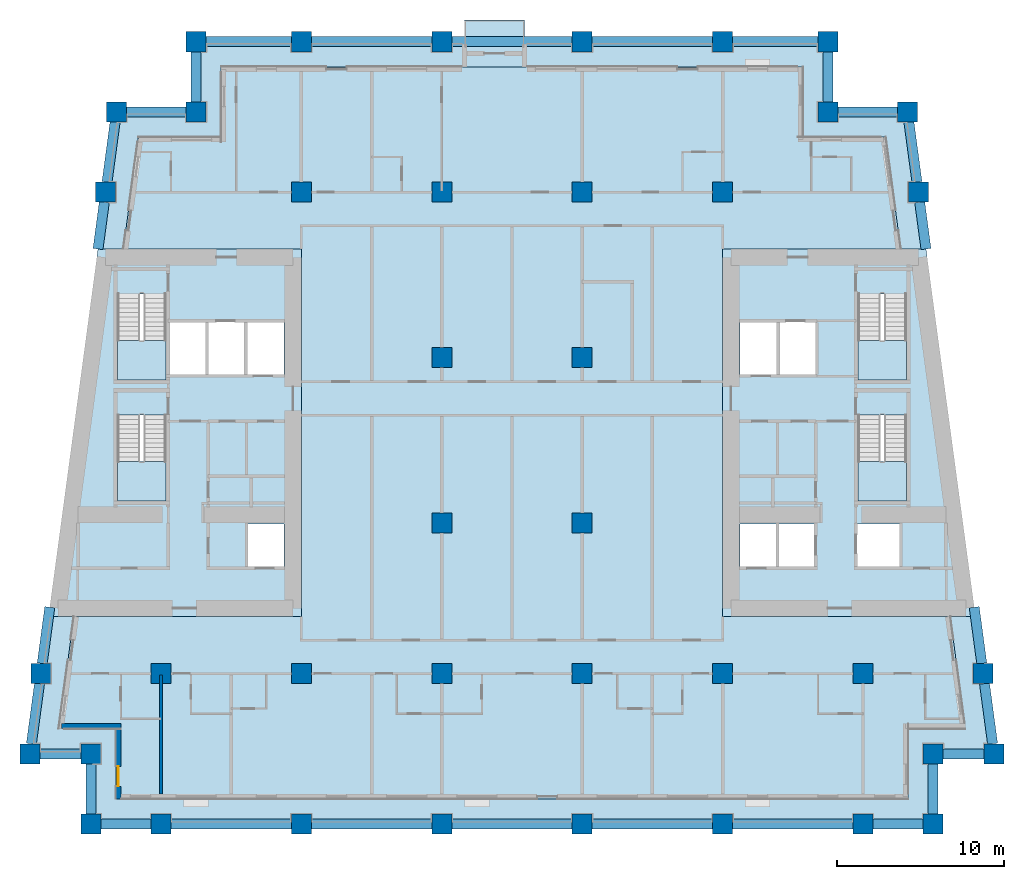
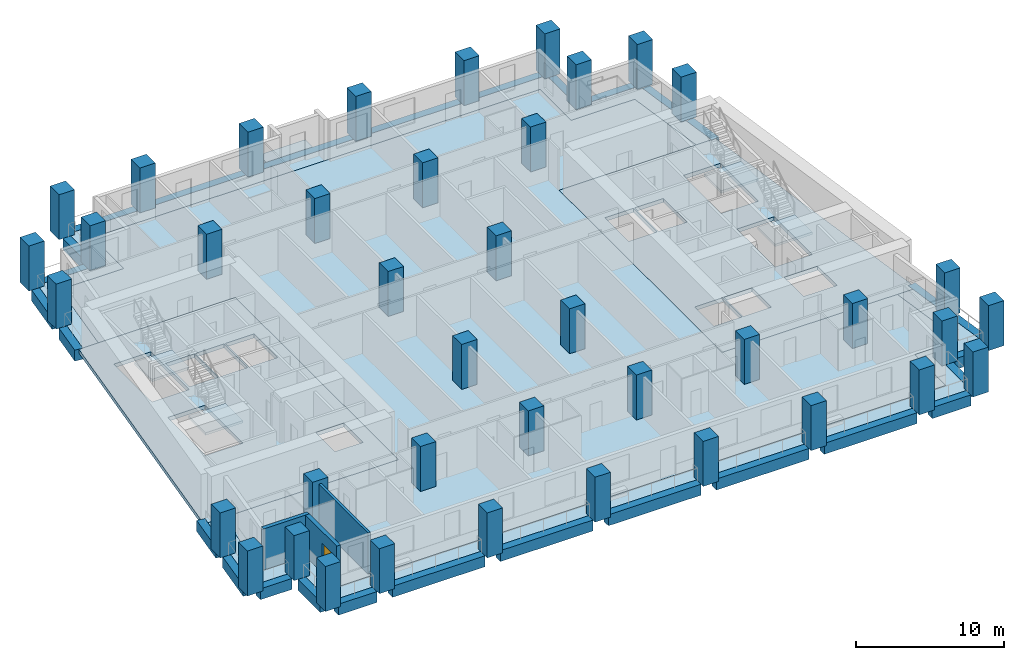
# One storey, part 1 of 13: 40 columns, 28 beams, 10 slabs, 3 walls, 1 door, 1 opening, 4 elements without a shape of their own.
"""IFC4 building model written with IfcOpenShell, lengths in metres."""

from ifc_helpers import new_model, si_unit, direction, frame, frame_2d, origin, origin_2d, place, context, subcontext, project, spatial, polyline, rectangle, outline, extrude, material, layer, layer_set, material_profile, profile_set, type_object, element, fill, aggregate, save


model = new_model("IFC4")

# Units and contexts
model_context = context("Model", 3, precision=1e-05, world=origin(), true_north=direction((0.0, 1.0)))
body_context = subcontext(model_context, "Body", "Model", "MODEL_VIEW")
ifc_project = project(units=[si_unit("LENGTHUNIT", "METRE"), si_unit("AREAUNIT", "SQUARE_METRE"), si_unit("VOLUMEUNIT", "CUBIC_METRE"), si_unit("PLANEANGLEUNIT", "RADIAN"), si_unit("MASSUNIT", "GRAM", prefix="KILO")], contexts=[model_context])

# Site, building, storey
site_placement = place(None, origin())
site = spatial("IfcSite", under=ifc_project, at=site_placement, CompositionType="ELEMENT")
building_placement = place(site_placement, origin())
building = spatial("IfcBuilding", under=site, at=building_placement, Name="Candeia Pilgrim Tower and Theatre", CompositionType="ELEMENT")
storey_placement = place(building_placement, frame((0.0, 0.0, 98.39990234375)))
storey = spatial("IfcBuildingStorey", under=building, at=storey_placement, Name="L22", CompositionType="ELEMENT", Elevation=98.39990234375)

# Columns
ifc_material_1 = material(Name="Concrete C70/85", Category="concrete")
ifc_material_profile_1 = material_profile(ifc_material_1, rectangle(XDim=1.199951171875, YDim=1.199951171875, at=origin_2d()))
ifc_profile_set_1 = profile_set([ifc_material_profile_1], Name="Concrete C70/85")
column_type = type_object("IfcColumnType", Name="RC 1200x1200 C70/85", PredefinedType="COLUMN", material=ifc_profile_set_1)
for number, where, z_axis, x_axis, name in (
    (1, (92.39990234375, 98.0, 0.0), (0.0, 0.0, 1.0), (1.0, 0.0, 0.0), "Column A1"),
    (2, (100.800048828125, 98.0, 0.0), (0.0, 0.0, 1.0), (1.0, 0.0, 0.0), "Column A2"),
    (3, (109.199951171875, 98.0, 0.0), (0.0, 0.0, 1.0), (1.0, 0.0, 0.0), "Column A3"),
    (4, (117.60009765625, 98.0, 0.0), (0.0, 0.0, 1.0), (1.0, 0.0, 0.0), "Column A4"),
    (5, (126.0, 98.0, 0.0), (0.0, 0.0, 1.0), (1.0, 0.0, 0.0), "Column A5"),
    (6, (134.39990234375, 98.0, 0.0), (0.0, 0.0, 1.0), (1.0, 0.0, 0.0), "Column A6"),
    (7, (88.199951171875, 98.0, 0.0), (0.0, 0.0, 1.0), (1.0, 0.0, 0.0), "Column AW"),
    (8, (138.60009765625, 98.0, 0.0), (0.0, 0.0, 1.0), (1.0, 0.0, 0.0), "Column AE"),
    (9, (88.199951171875, 102.199951171875, 0.0), (0.0, 0.0, 1.0), (1.0, 0.0, 0.0), "Column NSW"),
    (10, (138.60009765625, 102.199951171875, 0.0), (0.0, 0.0, 1.0), (1.0, 0.0, 0.0), "Column NSE"),
    (11, (94.5, 140.60009765625, 0.0), (0.0, 0.0, 1.0), (1.0, 0.0, 0.0), "Column NNW"),
    (12, (132.300048828125, 140.60009765625, 0.0), (0.0, 0.0, 1.0), (1.0, 0.0, 0.0), "Column NNE"),
    (13, (84.5654296875, 102.199951171875, 0.0), (0.0, 0.0, 1.0), (1.0, 0.0, 0.0), "Column LSW"),
    (14, (142.234619140625, 102.199951171875, 0.0), (0.0, 0.0, 1.0), (1.0, 0.0, 0.0), "Column LSE"),
    (15, (89.734619140625, 140.60009765625, 0.0), (0.0, 0.0, 1.0), (1.0, 0.0, 0.0), "Column LNW"),
    (16, (137.0654296875, 140.60009765625, 0.0), (0.0, 0.0, 1.0), (1.0, 0.0, 0.0), "Column LNE"),
    (17, (92.39990234375, 107.0, 0.0), (0.0, 0.0, 1.0), (1.0, 0.0, 0.0), "Column B1"),
    (18, (100.800048828125, 107.0, 0.0), (0.0, 0.0, 1.0), (1.0, 0.0, 0.0), "Column B2"),
    (19, (109.199951171875, 107.0, 0.0), (0.0, 0.0, 1.0), (1.0, 0.0, 0.0), "Column B3"),
    (20, (117.60009765625, 107.0, 0.0), (0.0, 0.0, 1.0), (1.0, 0.0, 0.0), "Column B4"),
    (21, (126.0, 107.0, 0.0), (0.0, 0.0, 1.0), (1.0, 0.0, 0.0), "Column B5"),
    (22, (134.39990234375, 107.0, 0.0), (0.0, 0.0, 1.0), (1.0, 0.0, 0.0), "Column B6"),
    (23, (85.21142578125, 107.0, 0.0), (0.0, 0.0, 1.0), (1.0, 0.0, 0.0), "Column BW"),
    (24, (141.58837890625, 107.0, 0.0), (0.0, 0.0, 1.0), (1.0, 0.0, 0.0), "Column BE"),
    (25, (109.199951171875, 116.0, 0.0), (0.0, 0.0, 1.0), (1.0, 0.0, 0.0), "Column C3"),
    (26, (117.60009765625, 116.0, 0.0), (0.0, 0.0, 1.0), (1.0, 0.0, 0.0), "Column C4"),
    (27, (109.199951171875, 125.89990234375, 0.0), (0.0, 0.0, 1.0), (1.0, 0.0, 0.0), "Column D3"),
    (28, (117.60009765625, 125.89990234375, 0.0), (0.0, 0.0, 1.0), (1.0, 0.0, 0.0), "Column D4"),
    (29, (100.800048828125, 135.800048828125, 0.0), (0.0, 0.0, 1.0), (1.0, 0.0, 0.0), "Column E2"),
    (30, (109.199951171875, 135.800048828125, 0.0), (0.0, 0.0, 1.0), (1.0, 0.0, 0.0), "Column E3"),
    (31, (117.60009765625, 135.800048828125, 0.0), (0.0, 0.0, 1.0), (1.0, 0.0, 0.0), "Column E4"),
    (32, (126.0, 135.800048828125, 0.0), (0.0, 0.0, 1.0), (1.0, 0.0, 0.0), "Column E5"),
    (33, (89.08837890625, 135.800048828125, 0.0), (0.0, 0.0, 1.0), (1.0, 0.0, 0.0), "Column EW"),
    (34, (137.71142578125, 135.800048828125, 0.0), (0.0, 0.0, 1.0), (1.0, 0.0, 0.0), "Column EE"),
    (35, (100.800048828125, 144.800048828125, 0.0), (0.0, 0.0, 1.0), (1.0, 0.0, 0.0), "Column F2"),
    (36, (109.199951171875, 144.800048828125, 0.0), (0.0, 0.0, 1.0), (1.0, 0.0, 0.0), "Column F3"),
    (37, (117.60009765625, 144.800048828125, 0.0), (0.0, 0.0, 1.0), (1.0, 0.0, 0.0), "Column F4"),
    (38, (126.0, 144.800048828125, 0.0), (0.0, 0.0, 1.0), (1.0, 0.0, 0.0), "Column F5"),
    (39, (94.5, 144.800048828125, 0.0), (0.0, 0.0, 1.0), (1.0, 0.0, 0.0), "Column FW"),
    (40, (132.300048828125, 144.800048828125, 0.0), (0.0, 0.0, 1.0), (1.0, 0.0, 0.0), "Column FE"),
):
    element("IfcColumn", number, at=place(storey_placement, frame(where, z_axis=z_axis, x_axis=x_axis)), inside=storey, type_object=column_type, Name=name, PredefinedType="COLUMN", context=body_context, shape_type="SweptSolid", body=[
        extrude(rectangle(XDim=1.199951171875, YDim=1.199951171875, at=origin_2d()), origin(), (0.0, 0.0, 1.0), 3.7001953125),
    ])

# Beams
ifc_material_profile_2 = material_profile(ifc_material_1, rectangle(XDim=0.60009765625, YDim=0.89990234375, at=origin_2d()))
ifc_profile_set_2 = profile_set([ifc_material_profile_2], Name="Concrete C70/85")
beam_type = type_object("IfcBeamType", Name="RC 600x900 C70/85", PredefinedType="BEAM", material=ifc_profile_set_2)
beam_1_placement = place(storey_placement, frame((88.800048828125, 98.0, -0.449951171875), z_axis=(1.0, 0.0, 0.0), x_axis=(0.0, 1.0, 0.0)))
element("IfcBeam", 41, at=beam_1_placement, inside=storey, type_object=beam_type, Name="Spandrel beam L22-01", PredefinedType="BEAM", context=body_context, shape_type="SweptSolid", body=[
    extrude(rectangle(XDim=0.60009765625, YDim=0.89990234375, at=origin_2d()), origin(), (0.0, 0.0, 1.0), 3.0),
])
beam_2_placement = place(storey_placement, frame((93.0, 98.0, -0.449951171875), z_axis=(1.0, 0.0, 0.0), x_axis=(0.0, 1.0, 0.0)))
element("IfcBeam", 42, at=beam_2_placement, inside=storey, type_object=beam_type, Name="Spandrel beam L22-02", PredefinedType="BEAM", context=body_context, shape_type="SweptSolid", body=[
    extrude(rectangle(XDim=0.60009765625, YDim=0.89990234375, at=origin_2d()), origin(), (0.0, 0.0, 1.0), 7.199951171875),
])
beam_3_placement = place(storey_placement, frame((101.39990234375, 98.0, -0.449951171875), z_axis=(1.0, 0.0, 0.0), x_axis=(0.0, 1.0, 0.0)))
element("IfcBeam", 43, at=beam_3_placement, inside=storey, type_object=beam_type, Name="Spandrel beam L22-03", PredefinedType="BEAM", context=body_context, shape_type="SweptSolid", body=[
    extrude(rectangle(XDim=0.60009765625, YDim=0.89990234375, at=origin_2d()), origin(), (0.0, 0.0, 1.0), 7.2001953125),
])
for number, where, z_axis, x_axis, name in (
    (44, (109.800048828125, 98.0, -0.449951171875), (1.0, 0.0, 0.0), (0.0, 1.0, 0.0), "Spandrel beam L22-04"),
    (45, (118.199951171875, 98.0, -0.449951171875), (1.0, 0.0, 0.0), (0.0, 1.0, 0.0), "Spandrel beam L22-05"),
    (46, (126.60009765625, 98.0, -0.449951171875), (1.0, 0.0, 0.0), (0.0, 1.0, 0.0), "Spandrel beam L22-06"),
):
    element("IfcBeam", number, at=place(storey_placement, frame(where, z_axis=z_axis, x_axis=x_axis)), inside=storey, type_object=beam_type, Name=name, PredefinedType="BEAM", context=body_context, shape_type="SweptSolid", body=[
        extrude(rectangle(XDim=0.60009765625, YDim=0.89990234375, at=origin_2d()), origin(), (0.0, 0.0, 1.0), 7.199951171875),
    ])
for number, where, z_axis, x_axis, name in (
    (47, (135.0, 98.0, -0.449951171875), (1.0, 0.0, 0.0), (0.0, 1.0, 0.0), "Spandrel beam L22-07"),
    (48, (138.60009765625, 98.60009765625, -0.449951171875), (0.0, 1.0, 0.0), (-1.0, 0.0, 0.0), "Spandrel beam L22-08"),
):
    element("IfcBeam", number, at=place(storey_placement, frame(where, z_axis=z_axis, x_axis=x_axis)), inside=storey, type_object=beam_type, Name=name, PredefinedType="BEAM", context=body_context, shape_type="SweptSolid", body=[
        extrude(rectangle(XDim=0.60009765625, YDim=0.89990234375, at=origin_2d()), origin(), (0.0, 0.0, 1.0), 3.0),
    ])
beam_4_placement = place(storey_placement, frame((139.199951171875, 102.199951171875, -0.449951171875), z_axis=(1.0, 0.0, 0.0), x_axis=(0.0, 1.0, 0.0)))
element("IfcBeam", 49, at=beam_4_placement, inside=storey, type_object=beam_type, Name="Spandrel beam L22-09", PredefinedType="BEAM", context=body_context, shape_type="SweptSolid", body=[
    extrude(rectangle(XDim=0.60009765625, YDim=0.89990234375, at=origin_2d()), origin(), (0.0, 0.0, 1.0), 2.4345703125),
])
beam_5_placement = place(storey_placement, frame((142.15380859375, 102.800048828125, -0.449951171875), z_axis=(-0.133418359924, 0.991059807093, 0.0), x_axis=(-0.991059807093, -0.133418359924, 0.0)))
element("IfcBeam", 50, at=beam_5_placement, inside=storey, type_object=beam_type, Name="Spandrel beam L22-10", PredefinedType="BEAM", context=body_context, shape_type="SweptSolid", body=[
    extrude(rectangle(XDim=0.60009765625, YDim=0.89990234375, at=origin_2d()), origin(), (0.0, 0.0, 1.0), 3.63232421875),
])
beam_6_placement = place(storey_placement, frame((141.5078125, 107.60009765625, -0.449951171875), z_axis=(-0.133458165992, 0.99105444751, 0.0), x_axis=(-0.99105444751, -0.133458165992, 0.0)))
element("IfcBeam", 51, at=beam_6_placement, inside=storey, type_object=beam_type, Name="Spandrel beam L22-11", PredefinedType="BEAM", context=body_context, shape_type="SweptSolid", body=[
    extrude(rectangle(XDim=0.60009765625, YDim=0.89990234375, at=origin_2d()), origin(), (0.0, 0.0, 1.0), 3.39697265625),
])
beam_7_placement = place(storey_placement, frame((138.169189453125, 132.39990234375, -0.449951171875), z_axis=(-0.133420173099, 0.991059562998, 0.0), x_axis=(-0.991059562998, -0.133420173099, 0.0)))
element("IfcBeam", 52, at=beam_7_placement, inside=storey, type_object=beam_type, Name="Spandrel beam L22-12", PredefinedType="BEAM", context=body_context, shape_type="SweptSolid", body=[
    extrude(rectangle(XDim=0.60009765625, YDim=0.89990234375, at=origin_2d()), origin(), (0.0, 0.0, 1.0), 2.8251953125),
])
beam_8_placement = place(storey_placement, frame((137.630859375, 136.39990234375, -0.449951171875), z_axis=(-0.133409473196, 0.991061003401, 0.0), x_axis=(-0.991061003401, -0.133409473196, 0.0)))
element("IfcBeam", 53, at=beam_8_placement, inside=storey, type_object=beam_type, Name="Spandrel beam L22-13", PredefinedType="BEAM", context=body_context, shape_type="SweptSolid", body=[
    extrude(rectangle(XDim=0.60009765625, YDim=0.89990234375, at=origin_2d()), origin(), (0.0, 0.0, 1.0), 3.632568359375),
])
beam_9_placement = place(storey_placement, frame((136.46533203125, 140.60009765625, -0.449951171875), z_axis=(-1.0, 0.0, 0.0), x_axis=(0.0, -1.0, 0.0)))
element("IfcBeam", 54, at=beam_9_placement, inside=storey, type_object=beam_type, Name="Spandrel beam L22-14", PredefinedType="BEAM", context=body_context, shape_type="SweptSolid", body=[
    extrude(rectangle(XDim=0.60009765625, YDim=0.89990234375, at=origin_2d()), origin(), (0.0, 0.0, 1.0), 3.5654296875),
])
beam_10_placement = place(storey_placement, frame((132.300048828125, 141.199951171875, -0.449951171875), z_axis=(0.0, 1.0, 0.0), x_axis=(-1.0, 0.0, 0.0)))
element("IfcBeam", 55, at=beam_10_placement, inside=storey, type_object=beam_type, Name="Spandrel beam L22-15", PredefinedType="BEAM", context=body_context, shape_type="SweptSolid", body=[
    extrude(rectangle(XDim=0.60009765625, YDim=0.89990234375, at=origin_2d()), origin(), (0.0, 0.0, 1.0), 3.0),
])
beam_11_placement = place(storey_placement, frame((131.699951171875, 144.800048828125, -0.449951171875), z_axis=(-1.0, 0.0, 0.0), x_axis=(0.0, -1.0, 0.0)))
element("IfcBeam", 56, at=beam_11_placement, inside=storey, type_object=beam_type, Name="Spandrel beam L22-16", PredefinedType="BEAM", context=body_context, shape_type="SweptSolid", body=[
    extrude(rectangle(XDim=0.60009765625, YDim=0.89990234375, at=origin_2d()), origin(), (0.0, 0.0, 1.0), 5.099853515625),
])
for number, where, z_axis, x_axis, name in (
    (57, (125.39990234375, 144.800048828125, -0.449951171875), (-1.0, 0.0, 0.0), (0.0, -1.0, 0.0), "Spandrel beam L22-17"),
    (58, (117.0, 144.800048828125, -0.449951171875), (-1.0, 0.0, 0.0), (0.0, -1.0, 0.0), "Spandrel beam L22-18"),
):
    element("IfcBeam", number, at=place(storey_placement, frame(where, z_axis=z_axis, x_axis=x_axis)), inside=storey, type_object=beam_type, Name=name, PredefinedType="BEAM", context=body_context, shape_type="SweptSolid", body=[
        extrude(rectangle(XDim=0.60009765625, YDim=0.89990234375, at=origin_2d()), origin(), (0.0, 0.0, 1.0), 7.199951171875),
    ])
beam_12_placement = place(storey_placement, frame((108.60009765625, 144.800048828125, -0.449951171875), z_axis=(-1.0, 0.0, 0.0), x_axis=(0.0, -1.0, 0.0)))
element("IfcBeam", 59, at=beam_12_placement, inside=storey, type_object=beam_type, Name="Spandrel beam L22-19", PredefinedType="BEAM", context=body_context, shape_type="SweptSolid", body=[
    extrude(rectangle(XDim=0.60009765625, YDim=0.89990234375, at=origin_2d()), origin(), (0.0, 0.0, 1.0), 7.2001953125),
])
beam_13_placement = place(storey_placement, frame((100.199951171875, 144.800048828125, -0.449951171875), z_axis=(-1.0, 0.0, 0.0), x_axis=(0.0, -1.0, 0.0)))
element("IfcBeam", 60, at=beam_13_placement, inside=storey, type_object=beam_type, Name="Spandrel beam L22-20", PredefinedType="BEAM", context=body_context, shape_type="SweptSolid", body=[
    extrude(rectangle(XDim=0.60009765625, YDim=0.89990234375, at=origin_2d()), origin(), (0.0, 0.0, 1.0), 5.099853515625),
])
beam_14_placement = place(storey_placement, frame((94.5, 144.199951171875, -0.449951171875), z_axis=(0.0, -1.0, 0.0), x_axis=(1.0, 0.0, 0.0)))
element("IfcBeam", 61, at=beam_14_placement, inside=storey, type_object=beam_type, Name="Spandrel beam L22-21", PredefinedType="BEAM", context=body_context, shape_type="SweptSolid", body=[
    extrude(rectangle(XDim=0.60009765625, YDim=0.89990234375, at=origin_2d()), origin(), (0.0, 0.0, 1.0), 3.0),
])
beam_15_placement = place(storey_placement, frame((93.89990234375, 140.60009765625, -0.449951171875), z_axis=(-1.0, 0.0, 0.0), x_axis=(0.0, -1.0, 0.0)))
element("IfcBeam", 62, at=beam_15_placement, inside=storey, type_object=beam_type, Name="Spandrel beam L22-22", PredefinedType="BEAM", context=body_context, shape_type="SweptSolid", body=[
    extrude(rectangle(XDim=0.60009765625, YDim=0.89990234375, at=origin_2d()), origin(), (0.0, 0.0, 1.0), 3.565185546875),
])
beam_16_placement = place(storey_placement, frame((89.65380859375, 140.0, -0.449951171875), z_axis=(-0.133409473196, -0.991061003401, 0.0), x_axis=(0.991061003401, -0.133409473196, 0.0)))
element("IfcBeam", 63, at=beam_16_placement, inside=storey, type_object=beam_type, Name="Spandrel beam L22-23", PredefinedType="BEAM", context=body_context, shape_type="SweptSolid", body=[
    extrude(rectangle(XDim=0.60009765625, YDim=0.89990234375, at=origin_2d()), origin(), (0.0, 0.0, 1.0), 3.632568359375),
])
beam_17_placement = place(storey_placement, frame((89.0078125, 135.199951171875, -0.449951171875), z_axis=(-0.133420173099, -0.991059562998, 0.0), x_axis=(0.991059562998, -0.133420173099, 0.0)))
element("IfcBeam", 64, at=beam_17_placement, inside=storey, type_object=beam_type, Name="Spandrel beam L22-24", PredefinedType="BEAM", context=body_context, shape_type="SweptSolid", body=[
    extrude(rectangle(XDim=0.60009765625, YDim=0.89990234375, at=origin_2d()), origin(), (0.0, 0.0, 1.0), 2.8251953125),
])
beam_18_placement = place(storey_placement, frame((85.74560546875, 110.966796875, -0.449951171875), z_axis=(-0.133458165992, -0.99105444751, 0.0), x_axis=(0.99105444751, -0.133458165992, 0.0)))
element("IfcBeam", 65, at=beam_18_placement, inside=storey, type_object=beam_type, Name="Spandrel beam L22-25", PredefinedType="BEAM", context=body_context, shape_type="SweptSolid", body=[
    extrude(rectangle(XDim=0.60009765625, YDim=0.89990234375, at=origin_2d()), origin(), (0.0, 0.0, 1.0), 3.39697265625),
])
beam_19_placement = place(storey_placement, frame((85.130859375, 106.39990234375, -0.449951171875), z_axis=(-0.133418359924, -0.991059807093, 0.0), x_axis=(0.991059807093, -0.133418359924, 0.0)))
element("IfcBeam", 66, at=beam_19_placement, inside=storey, type_object=beam_type, Name="Spandrel beam L22-26", PredefinedType="BEAM", context=body_context, shape_type="SweptSolid", body=[
    extrude(rectangle(XDim=0.60009765625, YDim=0.89990234375, at=origin_2d()), origin(), (0.0, 0.0, 1.0), 3.63232421875),
])
beam_20_placement = place(storey_placement, frame((85.165283203125, 102.199951171875, -0.449951171875), z_axis=(1.0, 0.0, 0.0), x_axis=(0.0, 1.0, 0.0)))
element("IfcBeam", 67, at=beam_20_placement, inside=storey, type_object=beam_type, Name="Spandrel beam L22-27", PredefinedType="BEAM", context=body_context, shape_type="SweptSolid", body=[
    extrude(rectangle(XDim=0.60009765625, YDim=0.89990234375, at=origin_2d()), origin(), (0.0, 0.0, 1.0), 2.434814453125),
])
beam_21_placement = place(storey_placement, frame((88.199951171875, 101.60009765625, -0.449951171875), z_axis=(0.0, -1.0, 0.0), x_axis=(1.0, 0.0, 0.0)))
element("IfcBeam", 68, at=beam_21_placement, inside=storey, type_object=beam_type, Name="Spandrel beam L22-28", PredefinedType="BEAM", context=body_context, shape_type="SweptSolid", body=[
    extrude(rectangle(XDim=0.60009765625, YDim=0.89990234375, at=origin_2d()), origin(), (0.0, 0.0, 1.0), 3.0),
])

# Slabs
ifc_material_2 = material(Name="Concrete C40/50", Category="concrete")
ifc_layer_1 = layer(ifc_material_2, 0.25)
ifc_layer_set_1 = layer_set([ifc_layer_1], Name="BK1 balcony slab 250")
slab_type_1 = type_object("IfcSlabType", Name="BK1 balcony slab 250", PredefinedType="USERDEFINED", material=ifc_layer_set_1)
slab_1_placement = place(storey_placement, frame((0.0, 0.0, -0.25)))
element("IfcSlab", 69, at=slab_1_placement, inside=storey, type_object=slab_type_1, Name="Balcony L22", ObjectType="BALCONY", PredefinedType="USERDEFINED", context=body_context, shape_type="SweptSolid", body=[
    extrude(outline(polyline([(110.550048828125, 144.5), (114.14990234375, 144.5), (114.14990234375, 146.10009765625), (110.550048828125, 146.10009765625), (110.550048828125, 144.5)])), origin(), (0.0, 0.0, 1.0), 0.25),
])
ifc_material_3 = material(Name="Concrete C60/75", Category="concrete")
ifc_layer_2 = layer(ifc_material_3, 0.320068359375)
ifc_layer_set_2 = layer_set([ifc_layer_2], Name="FS-CORE 320 core floor")
slab_type_2 = type_object("IfcSlabType", Name="FS-CORE 320 core floor", PredefinedType="FLOOR", material=ifc_layer_set_2)
slab_2_placement = place(storey_placement, frame((0.0, 0.0, -0.31982421875)))
element("IfcSlab", 70, at=slab_2_placement, inside=storey, type_object=slab_type_2, Name="Core floor W L22", PredefinedType="FLOOR", context=body_context, shape_type="SweptSolid", body=[
    extrude(outline(polyline([(100.800048828125, 132.39990234375), (100.800048828125, 110.39990234375), (85.669189453125, 110.39990234375), (88.630859375, 132.39990234375), (100.800048828125, 132.39990234375)]), holes=[polyline([(97.525634765625, 128.050048828125), (97.525634765625, 124.85009765625), (99.75, 124.85009765625), (99.75, 128.050048828125), (97.525634765625, 128.050048828125)]), polyline([(97.5634765625, 113.35009765625), (99.75, 113.35009765625), (99.75, 115.949951171875), (97.5634765625, 115.949951171875), (97.5634765625, 113.35009765625)]), polyline([(95.201416015625, 124.85009765625), (97.42578125, 124.85009765625), (97.42578125, 128.050048828125), (95.201416015625, 128.050048828125), (95.201416015625, 124.85009765625)]), polyline([(92.876953125, 128.050048828125), (92.876953125, 124.85009765625), (95.101318359375, 124.85009765625), (95.101318359375, 128.050048828125), (92.876953125, 128.050048828125)]), polyline([(89.802001953125, 122.455078125), (89.802001953125, 117.324951171875), (92.701904296875, 117.324951171875), (92.701904296875, 122.455078125), (89.802001953125, 122.455078125)]), polyline([(89.802001953125, 129.705078125), (89.802001953125, 124.574951171875), (92.701904296875, 124.574951171875), (92.701904296875, 129.705078125), (89.802001953125, 129.705078125)])]), origin(), (0.0, 0.0, 1.0), 0.31982421875),
])
slab_3_placement = place(storey_placement, frame((0.0, 0.0, -0.31982421875)))
element("IfcSlab", 71, at=slab_3_placement, inside=storey, type_object=slab_type_2, Name="Core floor E L22", PredefinedType="FLOOR", context=body_context, shape_type="SweptSolid", body=[
    extrude(outline(polyline([(138.169189453125, 132.39990234375), (141.130859375, 110.39990234375), (126.0, 110.39990234375), (126.0, 132.39990234375), (138.169189453125, 132.39990234375)]), holes=[polyline([(134.097900390625, 122.455078125), (134.097900390625, 117.324951171875), (136.998046875, 117.324951171875), (136.998046875, 122.455078125), (134.097900390625, 122.455078125)]), polyline([(134.097900390625, 129.705078125), (134.097900390625, 124.574951171875), (136.998046875, 124.574951171875), (136.998046875, 129.705078125), (134.097900390625, 129.705078125)]), polyline([(136.6220703125, 115.949951171875), (134.02294921875, 115.949951171875), (134.02294921875, 113.35009765625), (136.6220703125, 113.35009765625), (136.6220703125, 115.949951171875)]), polyline([(131.5986328125, 128.050048828125), (129.374267578125, 128.050048828125), (129.374267578125, 124.85009765625), (131.5986328125, 124.85009765625), (131.5986328125, 128.050048828125)]), polyline([(131.52294921875, 115.949951171875), (129.33642578125, 115.949951171875), (129.33642578125, 113.35009765625), (131.52294921875, 113.35009765625), (131.52294921875, 115.949951171875)]), polyline([(129.2744140625, 128.050048828125), (127.050048828125, 128.050048828125), (127.050048828125, 124.85009765625), (129.2744140625, 124.85009765625), (129.2744140625, 128.050048828125)]), polyline([(127.050048828125, 115.949951171875), (127.050048828125, 113.35009765625), (129.236572265625, 113.35009765625), (129.236572265625, 115.949951171875), (127.050048828125, 115.949951171875)])]), origin(), (0.0, 0.0, 1.0), 0.31982421875),
])
ifc_material_4 = material(Name="Concrete C50/60", Category="concrete")
ifc_layer_3 = layer(ifc_material_4, 0.320068359375)
ifc_layer_set_3 = layer_set([ifc_layer_3], Name="Floor slab 320 C50/60")
slab_type_3 = type_object("IfcSlabType", Name="Floor slab 320 C50/60", PredefinedType="FLOOR", material=ifc_layer_set_3)
slab_4_placement = place(storey_placement, frame((0.0, 0.0, -0.31982421875)))
element("IfcSlab", 72, at=slab_4_placement, inside=storey, type_object=slab_type_3, Name="Floor slab L22", PredefinedType="FLOOR", context=body_context, shape_type="SweptSolid", body=[
    extrude(outline(polyline([(96.0, 139.10009765625), (96.0, 143.300048828125), (130.800048828125, 143.300048828125), (130.800048828125, 139.10009765625), (135.753662109375, 139.10009765625), (136.65576171875, 132.39990234375), (126.0, 132.39990234375), (126.0, 110.39990234375), (139.6171875, 110.39990234375), (140.51904296875, 103.699951171875), (137.10009765625, 103.699951171875), (137.10009765625, 99.5), (89.699951171875, 99.5), (89.699951171875, 103.699951171875), (86.28076171875, 103.699951171875), (87.182861328125, 110.39990234375), (100.800048828125, 110.39990234375), (100.800048828125, 132.39990234375), (90.144287109375, 132.39990234375), (91.046142578125, 139.10009765625), (96.0, 139.10009765625)])), origin(), (0.0, 0.0, 1.0), 0.31982421875),
])
ifc_layer_4 = layer(ifc_material_2, 0.25)
ifc_layer_set_4 = layer_set([ifc_layer_4], Name="Loggia slab 250 C40/50")
slab_type_4 = type_object("IfcSlabType", Name="Loggia slab 250 C40/50", PredefinedType="FLOOR", material=ifc_layer_set_4)
slab_5_placement = place(storey_placement, frame((0.0, 0.0, -0.25)))
element("IfcSlab", 73, at=slab_5_placement, inside=storey, type_object=slab_type_4, Name="Loggia slab L22 1", PredefinedType="FLOOR", context=body_context, shape_type="SweptSolid", body=[
    extrude(outline(polyline([(87.182861328125, 110.39990234375), (86.28076171875, 103.699951171875), (89.699951171875, 103.699951171875), (89.699951171875, 99.5), (137.10009765625, 99.5), (137.10009765625, 103.699951171875), (140.51904296875, 103.699951171875), (139.6171875, 110.39990234375), (140.828125, 110.39990234375), (141.8916015625, 102.5), (138.300048828125, 102.5), (138.300048828125, 98.300048828125), (88.5, 98.300048828125), (88.5, 102.5), (84.908447265625, 102.5), (85.971923828125, 110.39990234375), (87.182861328125, 110.39990234375)])), origin(), (0.0, 0.0, 1.0), 0.25),
])
slab_6_placement = place(storey_placement, frame((0.0, 0.0, -0.25)))
element("IfcSlab", 74, at=slab_6_placement, inside=storey, type_object=slab_type_4, Name="Loggia slab L22 2", PredefinedType="FLOOR", context=body_context, shape_type="SweptSolid", body=[
    extrude(outline(polyline([(136.65576171875, 132.39990234375), (135.753662109375, 139.10009765625), (130.800048828125, 139.10009765625), (130.800048828125, 143.300048828125), (96.0, 143.300048828125), (96.0, 139.10009765625), (91.046142578125, 139.10009765625), (90.144287109375, 132.39990234375), (88.93359375, 132.39990234375), (89.996826171875, 140.300048828125), (94.800048828125, 140.300048828125), (94.800048828125, 144.5), (132.0, 144.5), (132.0, 140.300048828125), (136.802978515625, 140.300048828125), (137.866455078125, 132.39990234375), (136.65576171875, 132.39990234375)])), origin(), (0.0, 0.0, 1.0), 0.25),
])

# Stair, slab
stair_type = type_object("IfcStairType", Name="ST-TWR dog-leg escape stair", PredefinedType="HALF_TURN_STAIR", material=ifc_material_2)
stair_1_placement = place(storey_placement, origin())
stair_1 = element("IfcStair", 75, at=stair_1_placement, inside=storey, type_object=stair_type, Name="L22 Escape stair ST1", PredefinedType="HALF_TURN_STAIR")
ifc_layer_5 = layer(ifc_material_2, 0.199951171875)
ifc_layer_set_5 = layer_set([ifc_layer_5], Name="SL-LANDING stair landing")
slab_type_5 = type_object("IfcSlabType", Name="SL-LANDING stair landing", PredefinedType="LANDING", material=ifc_layer_set_5)
slab_7_placement = place(storey_placement, frame((0.0, 0.0, 1.650146484375)))
slab_7 = element("IfcSlab", 76, at=slab_7_placement, type_object=slab_type_5, Name="ST1 landing 1", PredefinedType="LANDING", context=body_context, shape_type="SweptSolid", body=[
    extrude(outline(polyline([(89.802001953125, 119.675048828125), (89.802001953125, 117.324951171875), (92.701904296875, 117.324951171875), (92.701904296875, 119.675048828125), (89.802001953125, 119.675048828125)])), origin(), (0.0, 0.0, 1.0), 0.199951171875),
])
aggregate(stair_1, [slab_7])

stair_2_placement = place(storey_placement, origin())
stair_2 = element("IfcStair", 77, at=stair_2_placement, inside=storey, type_object=stair_type, Name="L22 Escape stair ST2", PredefinedType="HALF_TURN_STAIR")
slab_8_placement = place(storey_placement, frame((0.0, 0.0, 1.650146484375)))
slab_8 = element("IfcSlab", 78, at=slab_8_placement, type_object=slab_type_5, Name="ST2 landing 1", PredefinedType="LANDING", context=body_context, shape_type="SweptSolid", body=[
    extrude(outline(polyline([(89.802001953125, 126.925048828125), (89.802001953125, 124.574951171875), (92.701904296875, 124.574951171875), (92.701904296875, 126.925048828125), (89.802001953125, 126.925048828125)])), origin(), (0.0, 0.0, 1.0), 0.199951171875),
])
aggregate(stair_2, [slab_8])

stair_3_placement = place(storey_placement, origin())
stair_3 = element("IfcStair", 79, at=stair_3_placement, inside=storey, type_object=stair_type, Name="L22 Escape stair ST3", PredefinedType="HALF_TURN_STAIR")
slab_9_placement = place(storey_placement, frame((0.0, 0.0, 1.650146484375)))
slab_9 = element("IfcSlab", 80, at=slab_9_placement, type_object=slab_type_5, Name="ST3 landing 1", PredefinedType="LANDING", context=body_context, shape_type="SweptSolid", body=[
    extrude(outline(polyline([(134.097900390625, 119.675048828125), (134.097900390625, 117.324951171875), (136.998046875, 117.324951171875), (136.998046875, 119.675048828125), (134.097900390625, 119.675048828125)])), origin(), (0.0, 0.0, 1.0), 0.199951171875),
])
aggregate(stair_3, [slab_9])

stair_4_placement = place(storey_placement, origin())
stair_4 = element("IfcStair", 81, at=stair_4_placement, inside=storey, type_object=stair_type, Name="L22 Escape stair ST4", PredefinedType="HALF_TURN_STAIR")
slab_10_placement = place(storey_placement, frame((0.0, 0.0, 1.650146484375)))
slab_10 = element("IfcSlab", 82, at=slab_10_placement, type_object=slab_type_5, Name="ST4 landing 1", PredefinedType="LANDING", context=body_context, shape_type="SweptSolid", body=[
    extrude(outline(polyline([(134.097900390625, 126.925048828125), (134.097900390625, 124.574951171875), (136.998046875, 124.574951171875), (136.998046875, 126.925048828125), (134.097900390625, 126.925048828125)])), origin(), (0.0, 0.0, 1.0), 0.199951171875),
])
aggregate(stair_4, [slab_10])

# Wall
ifc_material_5 = material(Name="Ceramic block masonry", Category="masonry")
ifc_layer_6 = layer(ifc_material_5, 0.300048828125)
ifc_layer_set_6 = layer_set([ifc_layer_6], Name="EW1 glazing-line wall 300")
wall_type_1 = type_object("IfcWallType", Name="EW1 glazing-line wall 300", PredefinedType="SOLIDWALL", material=ifc_layer_set_6)
wall_1_placement = place(storey_placement, frame((86.452392578125, 103.85009765625, 0.0), z_axis=(0.0, 0.0, 1.0), x_axis=(1.0, 0.0, 0.0)))
element("IfcWall", 83, at=wall_1_placement, inside=storey, type_object=wall_type_1, Name="External wall L22-10.0", PredefinedType="SOLIDWALL", context=body_context, shape_type="SweptSolid", body=[
    extrude(rectangle(XDim=3.547607421875, YDim=0.300048828125, at=frame_2d((1.77392578125, 0.0))), origin(), (0.0, 0.0, 1.0), 3.380126953125),
])

# Wall, opening, door
wall_2_placement = place(storey_placement, frame((89.85009765625, 103.85009765625, 0.0), z_axis=(0.0, 0.0, 1.0), x_axis=(0.0, -1.0, 0.0)))
wall_2 = element("IfcWall", 84, at=wall_2_placement, inside=storey, type_object=wall_type_1, Name="External wall L22-11.0", PredefinedType="SOLIDWALL", context=body_context, shape_type="SweptSolid", body=[
    extrude(rectangle(XDim=4.35009765625, YDim=0.300048828125, at=frame_2d((2.175048828125, 0.0))), origin(), (0.0, 0.0, 1.0), 3.380126953125),
])
opening_placement = place(wall_2_placement, frame((2.39990234375, 0.0, 0.0)))
opening = element("IfcOpeningElement", 85, at=opening_placement, cuts=wall_2, Name="Opening L22-ED233", PredefinedType="OPENING", context=body_context, shape_type="SweptSolid", body=[
    extrude(rectangle(XDim=1.199951171875, YDim=2.39990234375, at=frame_2d((0.60009765625, 1.199951171875))), frame((0.0, 0.16015625, 0.0), z_axis=(0.0, -1.0, 0.0), x_axis=(1.0, 0.0, 0.0)), (0.0, 0.0, 1.0), 0.320068359375),
])
ifc_material_6 = material(Name="Aluminium framed glazed door", Category="aluminium")
door_type = type_object("IfcDoorType", Name="Loggia door 1200x2400", OperationType="DOUBLE_DOOR_SINGLE_SWING", PredefinedType="DOOR", material=ifc_material_6)
door_placement = place(opening_placement, origin())
door = element("IfcDoor", 86, at=door_placement, inside=storey, type_object=door_type, Name="Loggia door L22-ED233", OperationType="DOUBLE_DOOR_SINGLE_SWING", OverallHeight=2.39990234375, OverallWidth=1.199951171875, PredefinedType="DOOR", context=body_context, shape_type="SweptSolid", body=[
    extrude(rectangle(XDim=1.199951171875, YDim=2.39990234375, at=frame_2d((0.60009765625, 1.199951171875))), frame((0.0, 0.02490234375, 0.0), z_axis=(0.0, -1.0, 0.0), x_axis=(1.0, 0.0, 0.0)), (0.0, 0.0, 1.0), 0.050048828125),
])
fill(opening, door)

# Wall
ifc_material_7 = material(Name="Gypsum board partition on steel studs", Category="steel")
ifc_layer_7 = layer(ifc_material_7, 0.199951171875)
ifc_layer_set_7 = layer_set([ifc_layer_7], Name="PW-200 party wall")
wall_type_2 = type_object("IfcWallType", Name="PW-200 party wall", PredefinedType="PARTITIONING", material=ifc_layer_set_7)
wall_3_placement = place(storey_placement, frame((92.39990234375, 99.7900390625, 0.0), z_axis=(0.0, 0.0, 1.0), x_axis=(0.0, 1.0, 0.0)))
element("IfcWall", 87, at=wall_3_placement, inside=storey, type_object=wall_type_2, Name="Party wall L22-053", PredefinedType="PARTITIONING", context=body_context, shape_type="SweptSolid", body=[
    extrude(rectangle(XDim=7.135009765625, YDim=0.199951171875, at=frame_2d((3.5673828125, 0.0))), origin(), (0.0, 0.0, 1.0), 3.380126953125),
])

save(model, "model.ifc")
